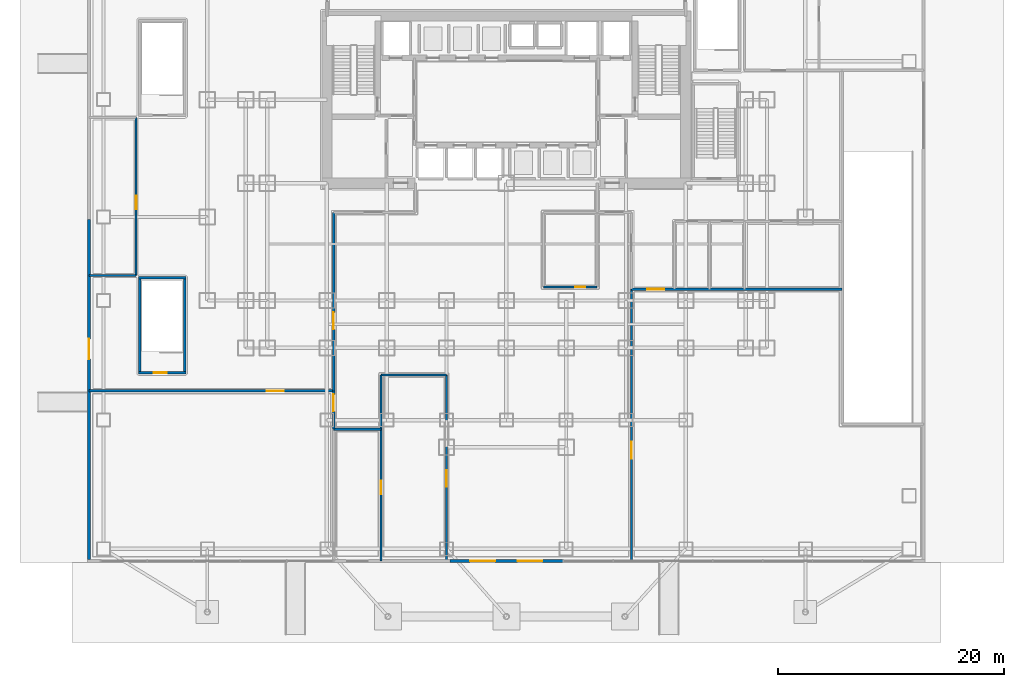
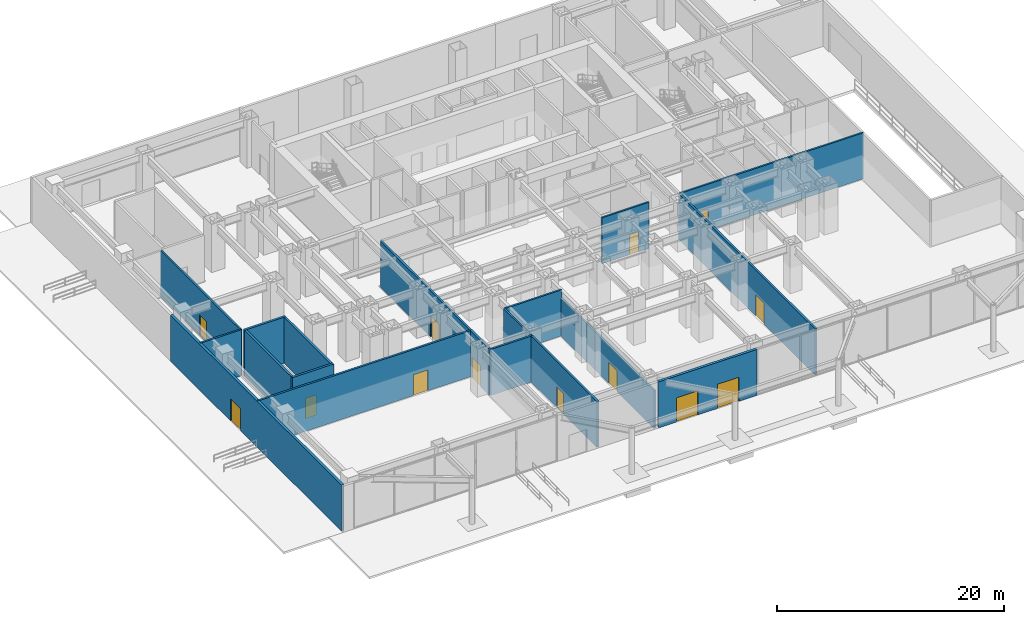
# One storey, part 10 of 18: 19 walls, 13 doors, 13 openings.
"""IFC4 building model written with IfcOpenShell, lengths in metres."""

from ifc_helpers import new_model, si_unit, direction, frame, frame_2d, origin, place, context, subcontext, project, spatial, rectangle, extrude, material, layer, layer_set, type_object, element, fill, save


model = new_model("IFC4")

# Units and contexts
model_context = context("Model", 3, precision=1e-05, world=origin(), true_north=direction((0.0, 1.0)))
body_context = subcontext(model_context, "Body", "Model", "MODEL_VIEW")
ifc_project = project(units=[si_unit("LENGTHUNIT", "METRE"), si_unit("AREAUNIT", "SQUARE_METRE"), si_unit("VOLUMEUNIT", "CUBIC_METRE"), si_unit("PLANEANGLEUNIT", "RADIAN"), si_unit("MASSUNIT", "GRAM", prefix="KILO")], contexts=[model_context])

# Site, building, storey
site_placement = place(None, origin())
site = spatial("IfcSite", under=ifc_project, at=site_placement, CompositionType="ELEMENT")
building_placement = place(site_placement, origin())
building = spatial("IfcBuilding", under=site, at=building_placement, Name="Qianlan Lanfeng Residences", CompositionType="ELEMENT")
storey_placement = place(building_placement, origin())
storey = spatial("IfcBuildingStorey", under=building, at=storey_placement, Name="L00", CompositionType="ELEMENT", Elevation=0.0)

# Wall, openings, doors
ifc_material_1 = material(Name="Concrete C42", Category="concrete")
ifc_layer_1 = layer(ifc_material_1, 0.260009765625)
ifc_layer_set_1 = layer_set([ifc_layer_1], Name="Concrete C42")
wall_type_1 = type_object("IfcWallType", Name="EW-260", PredefinedType="SOLIDWALL", material=ifc_layer_set_1)
wall_1_placement = place(storey_placement, frame((21.5, -8.27001953125, 0.0), z_axis=(0.0, 0.0, 1.0), x_axis=(1.0, 0.0, 0.0)))
wall_1 = element("IfcWall", 1, at=wall_1_placement, inside=storey, type_object=wall_type_1, Name="L00 South Grand Entrance Portal Wall", PredefinedType="SOLIDWALL", context=body_context, shape_type="SweptSolid", body=[
    extrude(rectangle(XDim=10.0, YDim=0.260009765625, at=frame_2d((5.0, 0.0))), origin(), (0.0, 0.0, 1.0), 4.949951171875),
])
opening_1_placement = place(wall_1_placement, frame((1.800048828125, 0.0, 0.0)))
opening_1 = element("IfcOpeningElement", 2, at=opening_1_placement, cuts=wall_1, Name="Opening L00-D-ENT1", PredefinedType="OPENING", context=body_context, shape_type="SweptSolid", body=[
    extrude(rectangle(XDim=2.199951171875, YDim=2.60009765625, at=frame_2d((1.10009765625, 1.300048828125))), frame((0.0, 0.14013671875, 0.0), z_axis=(0.0, -1.0, 0.0), x_axis=(1.0, 0.0, 0.0)), (0.0, 0.0, 1.0), 0.280029296875),
])
opening_2_placement = place(wall_1_placement, frame((6.0, 0.0, 0.0)))
opening_2 = element("IfcOpeningElement", 3, at=opening_2_placement, cuts=wall_1, Name="Opening L00-D-ENT2", PredefinedType="OPENING", context=body_context, shape_type="SweptSolid", body=[
    extrude(rectangle(XDim=2.199951171875, YDim=2.60009765625, at=frame_2d((1.10009765625, 1.300048828125))), frame((0.0, 0.14013671875, 0.0), z_axis=(0.0, -1.0, 0.0), x_axis=(1.0, 0.0, 0.0)), (0.0, 0.0, 1.0), 0.280029296875),
])
ifc_material_2 = material(Name="Anodised Bronze Aluminium Framed Glass", Category="aluminium")
door_type_1 = type_object("IfcDoorType", Name="DT-ENT1", OperationType="NOTDEFINED", PredefinedType="DOOR", material=ifc_material_2)
door_1_placement = place(opening_1_placement, frame((2.199951171875, 0.0, 0.0), z_axis=(0.0, 0.0, 1.0), x_axis=(-1.0, 0.0, 0.0)))
door_1 = element("IfcDoor", 4, at=door_1_placement, inside=storey, type_object=door_type_1, Name="L00 Exterior Door L00-D-ENT1", OperationType="DOUBLE_DOOR_SINGLE_SWING", OverallHeight=2.60009765625, OverallWidth=2.199951171875, PredefinedType="DOOR", context=body_context, shape_type="SweptSolid", body=[
    extrude(rectangle(XDim=2.199951171875, YDim=2.60009765625, at=frame_2d((1.10009765625, 1.300048828125))), frame((0.0, 0.02490234375, 0.0), z_axis=(0.0, -1.0, 0.0), x_axis=(1.0, 0.0, 0.0)), (0.0, 0.0, 1.0), 0.050048828125),
])
fill(opening_1, door_1)
door_2_placement = place(opening_2_placement, frame((2.199951171875, 0.0, 0.0), z_axis=(0.0, 0.0, 1.0), x_axis=(-1.0, 0.0, 0.0)))
door_2 = element("IfcDoor", 5, at=door_2_placement, inside=storey, type_object=door_type_1, Name="L00 Exterior Door L00-D-ENT2", OperationType="DOUBLE_DOOR_SINGLE_SWING", OverallHeight=2.60009765625, OverallWidth=2.199951171875, PredefinedType="DOOR", context=body_context, shape_type="SweptSolid", body=[
    extrude(rectangle(XDim=2.199951171875, YDim=2.60009765625, at=frame_2d((1.10009765625, 1.300048828125))), frame((0.0, 0.02490234375, 0.0), z_axis=(0.0, -1.0, 0.0), x_axis=(1.0, 0.0, 0.0)), (0.0, 0.0, 1.0), 0.050048828125),
])
fill(opening_2, door_2)

# Wall, opening, door
wall_2_placement = place(storey_placement, frame((-10.469970703125, 22.0, 0.0), z_axis=(0.0, 0.0, 1.0), x_axis=(0.0, -1.0, 0.0)))
wall_2 = element("IfcWall", 6, at=wall_2_placement, inside=storey, type_object=wall_type_1, Name="L00 West Promenade Exit Wall", PredefinedType="SOLIDWALL", context=body_context, shape_type="SweptSolid", body=[
    extrude(rectangle(XDim=30.139892578125, YDim=0.260009765625, at=frame_2d((15.06982421875, 0.0))), origin(), (0.0, 0.0, 1.0), 4.949951171875),
])
opening_3_placement = place(wall_2_placement, frame((10.60009765625, 0.0, 0.0)))
opening_3 = element("IfcOpeningElement", 7, at=opening_3_placement, cuts=wall_2, Name="Opening L00-D-EX06", PredefinedType="OPENING", context=body_context, shape_type="SweptSolid", body=[
    extrude(rectangle(XDim=1.800048828125, YDim=2.39990234375, at=frame_2d((0.89990234375, 1.199951171875))), frame((0.0, 0.14013671875, 0.0), z_axis=(0.0, -1.0, 0.0), x_axis=(1.0, 0.0, 0.0)), (0.0, 0.0, 1.0), 0.280029296875),
])
door_type_2 = type_object("IfcDoorType", Name="DT-EX1", OperationType="NOTDEFINED", PredefinedType="DOOR", material=ifc_material_2)
door_3_placement = place(opening_3_placement, frame((1.800048828125, 0.0, 0.0), z_axis=(0.0, 0.0, 1.0), x_axis=(-1.0, 0.0, 0.0)))
door_3 = element("IfcDoor", 8, at=door_3_placement, inside=storey, type_object=door_type_2, Name="L00 Exterior Door L00-D-EX06", OperationType="DOUBLE_DOOR_SINGLE_SWING", OverallHeight=2.39990234375, OverallWidth=1.800048828125, PredefinedType="DOOR", context=body_context, shape_type="SweptSolid", body=[
    extrude(rectangle(XDim=1.800048828125, YDim=2.39990234375, at=frame_2d((0.89990234375, 1.199951171875))), frame((0.0, 0.02490234375, 0.0), z_axis=(0.0, -1.0, 0.0), x_axis=(1.0, 0.0, 0.0)), (0.0, 0.0, 1.0), 0.050048828125),
])
fill(opening_3, door_3)

# Wall
ifc_material_3 = material(Name="Double-Layer Acoustic Gypsum Stud Wall 180 mm")
ifc_layer_2 = layer(ifc_material_3, 0.179931640625)
ifc_layer_set_2 = layer_set([ifc_layer_2], Name="Double-Layer Acoustic Gypsum Stud Wall 180 mm")
wall_type_2 = type_object("IfcWallType", Name="PW-180", PredefinedType="PARTITIONING", material=ifc_layer_set_2)
wall_3_placement = place(storey_placement, frame((15.39990234375, 3.39990234375, 0.0), z_axis=(0.0, 0.0, 1.0), x_axis=(0.0, 1.0, 0.0)))
element("IfcWall", 9, at=wall_3_placement, inside=storey, type_object=wall_type_2, Name="L00 Harbour Cafe West Wall", PredefinedType="PARTITIONING", context=body_context, shape_type="SweptSolid", body=[
    extrude(rectangle(XDim=4.800048828125, YDim=0.179931640625, at=frame_2d((2.39990234375, 0.0))), origin(), (0.0, 0.0, 1.0), 4.949951171875),
])

# Wall, opening, door
wall_4_placement = place(storey_placement, frame((21.199951171875, -8.27001953125, 0.0), z_axis=(0.0, 0.0, 1.0), x_axis=(0.0, 1.0, 0.0)))
wall_4 = element("IfcWall", 10, at=wall_4_placement, inside=storey, type_object=wall_type_2, Name="L00 Harbour Cafe East Wall", PredefinedType="PARTITIONING", context=body_context, shape_type="SweptSolid", body=[
    extrude(rectangle(XDim=16.469970703125, YDim=0.179931640625, at=frame_2d((8.23486328125, 0.0))), origin(), (0.0, 0.0, 1.0), 4.094970703125),
])
opening_4_placement = place(wall_4_placement, frame((6.550048828125, 0.0, 0.0)))
opening_4 = element("IfcOpeningElement", 11, at=opening_4_placement, cuts=wall_4, Name="Opening L00-D22", PredefinedType="OPENING", context=body_context, shape_type="SweptSolid", body=[
    extrude(rectangle(XDim=1.5, YDim=2.25, at=frame_2d((0.75, 1.125))), frame((0.0, 0.10009765625, 0.0), z_axis=(0.0, -1.0, 0.0), x_axis=(1.0, 0.0, 0.0)), (0.0, 0.0, 1.0), 0.199951171875),
])
ifc_material_4 = material(Name="Timber Veneer Acoustic Fire Door", Category="wood")
door_type_3 = type_object("IfcDoorType", Name="DT-COR1", OperationType="NOTDEFINED", PredefinedType="DOOR", material=ifc_material_4)
door_4_placement = place(opening_4_placement, origin())
door_4 = element("IfcDoor", 12, at=door_4_placement, inside=storey, type_object=door_type_3, Name="L00 Harbour Cafe Lobby Door L00-D22 (DT-COR1)", OperationType="DOUBLE_DOOR_SINGLE_SWING", OverallHeight=2.25, OverallWidth=1.5, PredefinedType="DOOR", context=body_context, shape_type="SweptSolid", body=[
    extrude(rectangle(XDim=1.5, YDim=2.25, at=frame_2d((0.75, 1.125))), frame((0.0, 0.02490234375, 0.0), z_axis=(0.0, -1.0, 0.0), x_axis=(1.0, 0.0, 0.0)), (0.0, 0.0, 1.0), 0.050048828125),
])
fill(opening_4, door_4)

# Wall
wall_5_placement = place(storey_placement, frame((15.39990234375, 8.199951171875, 0.0), z_axis=(0.0, 0.0, 1.0), x_axis=(1.0, 0.0, 0.0)))
element("IfcWall", 13, at=wall_5_placement, inside=storey, type_object=wall_type_2, Name="L00 Harbour Cafe North Wall", PredefinedType="PARTITIONING", context=body_context, shape_type="SweptSolid", body=[
    extrude(rectangle(XDim=5.800048828125, YDim=0.179931640625, at=frame_2d((2.89990234375, 0.0))), origin(), (0.0, 0.0, 1.0), 4.949951171875),
])

# Wall, opening, door
wall_6_placement = place(storey_placement, frame((29.800048828125, 16.0, 0.0), z_axis=(0.0, 0.0, 1.0), x_axis=(1.0, 0.0, 0.0)))
wall_6 = element("IfcWall", 14, at=wall_6_placement, inside=storey, type_object=wall_type_2, Name="L00 Mail Room South Wall", PredefinedType="PARTITIONING", context=body_context, shape_type="SweptSolid", body=[
    extrude(rectangle(XDim=4.75, YDim=0.179931640625, at=frame_2d((2.375, 0.0))), origin(), (0.0, 0.0, 1.0), 4.949951171875),
])
opening_5_placement = place(wall_6_placement, frame((2.7900390625, 0.0, 0.0)))
opening_5 = element("IfcOpeningElement", 15, at=opening_5_placement, cuts=wall_6, Name="Opening L00-D23", PredefinedType="OPENING", context=body_context, shape_type="SweptSolid", body=[
    extrude(rectangle(XDim=0.919921875, YDim=2.14990234375, at=frame_2d((0.4599609375, 1.074951171875))), frame((0.0, 0.10009765625, 0.0), z_axis=(0.0, -1.0, 0.0), x_axis=(1.0, 0.0, 0.0)), (0.0, 0.0, 1.0), 0.199951171875),
])
ifc_material_5 = material(Name="Glazed Timber Kitchen/Study Door", Category="wood")
door_type_4 = type_object("IfcDoorType", Name="DT-INT", OperationType="NOTDEFINED", PredefinedType="DOOR", material=ifc_material_5)
door_5_placement = place(opening_5_placement, origin())
door_5 = element("IfcDoor", 16, at=door_5_placement, inside=storey, type_object=door_type_4, Name="L00 Mail and Parcel Room Door L00-D23 (DT-INT)", OperationType="SINGLE_SWING_LEFT", OverallHeight=2.14990234375, OverallWidth=0.919921875, PredefinedType="DOOR", context=body_context, shape_type="SweptSolid", body=[
    extrude(rectangle(XDim=0.919921875, YDim=2.14990234375, at=frame_2d((0.4599609375, 1.074951171875))), frame((0.0, 0.02490234375, 0.0), z_axis=(0.0, -1.0, 0.0), x_axis=(1.0, 0.0, 0.0)), (0.0, 0.0, 1.0), 0.050048828125),
])
fill(opening_5, door_5)

wall_7_placement = place(storey_placement, frame((37.60009765625, 15.800048828125, 0.0), z_axis=(0.0, 0.0, 1.0), x_axis=(1.0, 0.0, 0.0)))
wall_7 = element("IfcWall", 17, at=wall_7_placement, inside=storey, type_object=wall_type_2, Name="L00 East Retail North Wall", PredefinedType="PARTITIONING", context=body_context, shape_type="SweptSolid", body=[
    extrude(rectangle(XDim=18.64990234375, YDim=0.179931640625, at=frame_2d((9.324951171875, 0.0))), origin(), (0.0, 0.0, 1.0), 4.949951171875),
])
opening_6_placement = place(wall_7_placement, frame((1.39990234375, 0.0, 0.0)))
opening_6 = element("IfcOpeningElement", 18, at=opening_6_placement, cuts=wall_7, Name="Opening L00-D25", PredefinedType="OPENING", context=body_context, shape_type="SweptSolid", body=[
    extrude(rectangle(XDim=1.5, YDim=2.25, at=frame_2d((0.75, 1.125))), frame((0.0, 0.10009765625, 0.0), z_axis=(0.0, -1.0, 0.0), x_axis=(1.0, 0.0, 0.0)), (0.0, 0.0, 1.0), 0.199951171875),
])
door_6_placement = place(opening_6_placement, origin())
door_6 = element("IfcDoor", 19, at=door_6_placement, inside=storey, type_object=door_type_3, Name="L00 East Retail Exit Hall Door L00-D25 (DT-COR1)", OperationType="DOUBLE_DOOR_SINGLE_SWING", OverallHeight=2.25, OverallWidth=1.5, PredefinedType="DOOR", context=body_context, shape_type="SweptSolid", body=[
    extrude(rectangle(XDim=1.5, YDim=2.25, at=frame_2d((0.75, 1.125))), frame((0.0, 0.02490234375, 0.0), z_axis=(0.0, -1.0, 0.0), x_axis=(1.0, 0.0, 0.0)), (0.0, 0.0, 1.0), 0.050048828125),
])
fill(opening_6, door_6)

wall_8_placement = place(storey_placement, frame((-6.300048828125, 17.0, 0.0), z_axis=(0.0, 0.0, 1.0), x_axis=(0.0, 1.0, 0.0)))
wall_8 = element("IfcWall", 20, at=wall_8_placement, inside=storey, type_object=wall_type_2, Name="L00 Bicycle Room East Wall", PredefinedType="PARTITIONING", context=body_context, shape_type="SweptSolid", body=[
    extrude(rectangle(XDim=14.0, YDim=0.179931640625, at=frame_2d((7.0, 0.0))), origin(), (0.0, 0.0, 1.0), 4.949951171875),
])
opening_7_placement = place(wall_8_placement, frame((5.89990234375, 0.0, 0.0)))
opening_7 = element("IfcOpeningElement", 21, at=opening_7_placement, cuts=wall_8, Name="Opening L00-D31", PredefinedType="OPENING", context=body_context, shape_type="SweptSolid", body=[
    extrude(rectangle(XDim=1.199951171875, YDim=2.199951171875, at=frame_2d((0.60009765625, 1.10009765625))), frame((0.0, 0.10009765625, 0.0), z_axis=(0.0, -1.0, 0.0), x_axis=(1.0, 0.0, 0.0)), (0.0, 0.0, 1.0), 0.199951171875),
])
ifc_material_6 = material(Name="Painted Galvanised Steel Plant Door", Category="steel")
door_type_5 = type_object("IfcDoorType", Name="DT-PLT", OperationType="NOTDEFINED", PredefinedType="DOOR", material=ifc_material_6)
door_7_placement = place(opening_7_placement, origin())
door_7 = element("IfcDoor", 22, at=door_7_placement, inside=storey, type_object=door_type_5, Name="L00 Bicycle Storage Room Door L00-D31 (DT-PLT)", OperationType="SINGLE_SWING_LEFT", OverallHeight=2.199951171875, OverallWidth=1.199951171875, PredefinedType="DOOR", context=body_context, shape_type="SweptSolid", body=[
    extrude(rectangle(XDim=1.199951171875, YDim=2.199951171875, at=frame_2d((0.60009765625, 1.10009765625))), frame((0.0, 0.02490234375, 0.0), z_axis=(0.0, -1.0, 0.0), x_axis=(1.0, 0.0, 0.0)), (0.0, 0.0, 1.0), 0.050048828125),
])
fill(opening_7, door_7)

# Wall
wall_9_placement = place(storey_placement, frame((-10.469970703125, 17.0, 0.0), z_axis=(0.0, 0.0, 1.0), x_axis=(1.0, 0.0, 0.0)))
element("IfcWall", 23, at=wall_9_placement, inside=storey, type_object=wall_type_2, Name="L00 Bicycle Room South Wall", PredefinedType="PARTITIONING", context=body_context, shape_type="SweptSolid", body=[
    extrude(rectangle(XDim=4.169921875, YDim=0.179931640625, at=frame_2d((2.0849609375, 0.0))), origin(), (0.0, 0.0, 1.0), 4.949951171875),
])

# Wall, opening, door
ifc_material_7 = material(Name="Autoclaved Aerated Concrete Blockwork 200 mm", Category="masonry")
ifc_layer_3 = layer(ifc_material_7, 0.199951171875)
ifc_layer_set_3 = layer_set([ifc_layer_3], Name="Autoclaved Aerated Concrete Blockwork 200 mm")
wall_type_3 = type_object("IfcWallType", Name="PW-200", PredefinedType="PARTITIONING", material=ifc_layer_set_3)
wall_10_placement = place(storey_placement, frame((15.39990234375, -8.27001953125, 0.0), z_axis=(0.0, 0.0, 1.0), x_axis=(0.0, 1.0, 0.0)))
wall_10 = element("IfcWall", 24, at=wall_10_placement, inside=storey, type_object=wall_type_3, Name="L00 Fire Command Centre East Wall", PredefinedType="PARTITIONING", context=body_context, shape_type="SweptSolid", body=[
    extrude(rectangle(XDim=11.669921875, YDim=0.199951171875, at=frame_2d((5.8349609375, 0.0))), origin(), (0.0, 0.0, 1.0), 4.949951171875),
])
opening_8_placement = place(wall_10_placement, frame((5.89990234375, 0.0, 0.0)))
opening_8 = element("IfcOpeningElement", 25, at=opening_8_placement, cuts=wall_10, Name="Opening L00-D17", PredefinedType="OPENING", context=body_context, shape_type="SweptSolid", body=[
    extrude(rectangle(XDim=1.199951171875, YDim=2.199951171875, at=frame_2d((0.60009765625, 1.10009765625))), frame((0.0, 0.10986328125, 0.0), z_axis=(0.0, -1.0, 0.0), x_axis=(1.0, 0.0, 0.0)), (0.0, 0.0, 1.0), 0.219970703125),
])
door_8_placement = place(opening_8_placement, origin())
door_8 = element("IfcDoor", 26, at=door_8_placement, inside=storey, type_object=door_type_5, Name="L00 Fire Command Centre Lobby Door L00-D17 (DT-PLT)", OperationType="SINGLE_SWING_LEFT", OverallHeight=2.199951171875, OverallWidth=1.199951171875, PredefinedType="DOOR", context=body_context, shape_type="SweptSolid", body=[
    extrude(rectangle(XDim=1.199951171875, YDim=2.199951171875, at=frame_2d((0.60009765625, 1.10009765625))), frame((0.0, 0.02490234375, 0.0), z_axis=(0.0, -1.0, 0.0), x_axis=(1.0, 0.0, 0.0)), (0.0, 0.0, 1.0), 0.050048828125),
])
fill(opening_8, door_8)

# Wall
wall_11_placement = place(storey_placement, frame((11.199951171875, 3.39990234375, 0.0), z_axis=(0.0, 0.0, 1.0), x_axis=(1.0, 0.0, 0.0)))
element("IfcWall", 27, at=wall_11_placement, inside=storey, type_object=wall_type_3, Name="L00 Fire Command Centre North Wall", PredefinedType="PARTITIONING", context=body_context, shape_type="SweptSolid", body=[
    extrude(rectangle(XDim=4.199951171875, YDim=0.199951171875, at=frame_2d((2.10009765625, 0.0))), origin(), (0.0, 0.0, 1.0), 4.949951171875),
])

# Wall, opening, door
wall_12_placement = place(storey_placement, frame((-10.469970703125, 6.800048828125, 0.0), z_axis=(0.0, 0.0, 1.0), x_axis=(1.0, 0.0, 0.0)))
wall_12 = element("IfcWall", 28, at=wall_12_placement, inside=storey, type_object=wall_type_3, Name="L00 West Retail North Wall", PredefinedType="PARTITIONING", context=body_context, shape_type="SweptSolid", body=[
    extrude(rectangle(XDim=21.669921875, YDim=0.199951171875, at=frame_2d((10.8349609375, 0.0))), origin(), (0.0, 0.0, 1.0), 4.949951171875),
])
opening_9_placement = place(wall_12_placement, frame((15.75, 0.0, 0.0)))
opening_9 = element("IfcOpeningElement", 29, at=opening_9_placement, cuts=wall_12, Name="Opening L00-D18", PredefinedType="OPENING", context=body_context, shape_type="SweptSolid", body=[
    extrude(rectangle(XDim=1.5, YDim=2.25, at=frame_2d((0.75, 1.125))), frame((0.0, 0.10986328125, 0.0), z_axis=(0.0, -1.0, 0.0), x_axis=(1.0, 0.0, 0.0)), (0.0, 0.0, 1.0), 0.219970703125),
])
door_9_placement = place(opening_9_placement, origin())
door_9 = element("IfcDoor", 30, at=door_9_placement, inside=storey, type_object=door_type_3, Name="L00 West Retail Exit Hall Door L00-D18 (DT-COR1)", OperationType="DOUBLE_DOOR_SINGLE_SWING", OverallHeight=2.25, OverallWidth=1.5, PredefinedType="DOOR", context=body_context, shape_type="SweptSolid", body=[
    extrude(rectangle(XDim=1.5, YDim=2.25, at=frame_2d((0.75, 1.125))), frame((0.0, 0.02490234375, 0.0), z_axis=(0.0, -1.0, 0.0), x_axis=(1.0, 0.0, 0.0)), (0.0, 0.0, 1.0), 0.050048828125),
])
fill(opening_9, door_9)

wall_13_placement = place(storey_placement, frame((11.199951171875, 3.39990234375, 0.0), z_axis=(0.0, 0.0, 1.0), x_axis=(0.0, 1.0, 0.0)))
wall_13 = element("IfcWall", 31, at=wall_13_placement, inside=storey, type_object=wall_type_3, Name="L00 West Retail East Wall", PredefinedType="PARTITIONING", context=body_context, shape_type="SweptSolid", body=[
    extrude(rectangle(XDim=3.400146484375, YDim=0.199951171875, at=frame_2d((1.7001953125, 0.0))), origin(), (0.0, 0.0, 1.0), 4.949951171875),
])
opening_10_placement = place(wall_13_placement, frame((1.5849609375, 0.0, 0.0)))
opening_10 = element("IfcOpeningElement", 32, at=opening_10_placement, cuts=wall_13, Name="Opening L00-D19", PredefinedType="OPENING", context=body_context, shape_type="SweptSolid", body=[
    extrude(rectangle(XDim=1.5, YDim=2.25, at=frame_2d((0.75, 1.125))), frame((0.0, 0.10986328125, 0.0), z_axis=(0.0, -1.0, 0.0), x_axis=(1.0, 0.0, 0.0)), (0.0, 0.0, 1.0), 0.219970703125),
])
door_10_placement = place(opening_10_placement, frame((1.5, 0.0, 0.0), z_axis=(0.0, 0.0, 1.0), x_axis=(-1.0, 0.0, 0.0)))
door_10 = element("IfcDoor", 33, at=door_10_placement, inside=storey, type_object=door_type_3, Name="L00 West Retail Gallery Lobby Door L00-D19 (DT-COR1)", OperationType="DOUBLE_DOOR_SINGLE_SWING", OverallHeight=2.25, OverallWidth=1.5, PredefinedType="DOOR", context=body_context, shape_type="SweptSolid", body=[
    extrude(rectangle(XDim=1.5, YDim=2.25, at=frame_2d((0.75, 1.125))), frame((0.0, 0.02490234375, 0.0), z_axis=(0.0, -1.0, 0.0), x_axis=(1.0, 0.0, 0.0)), (0.0, 0.0, 1.0), 0.050048828125),
])
fill(opening_10, door_10)

wall_14_placement = place(storey_placement, frame((11.199951171875, 6.800048828125, 0.0), z_axis=(0.0, 0.0, 1.0), x_axis=(0.0, 1.0, 0.0)))
wall_14 = element("IfcWall", 34, at=wall_14_placement, inside=storey, type_object=wall_type_3, Name="L00 West Exit Hall Separation Wall", PredefinedType="PARTITIONING", context=body_context, shape_type="SweptSolid", body=[
    extrude(rectangle(XDim=15.800048828125, YDim=0.199951171875, at=frame_2d((7.89990234375, 0.0))), origin(), (0.0, 0.0, 1.0), 4.949951171875),
])
opening_11_placement = place(wall_14_placement, frame((5.449951171875, 0.0, 0.0)))
opening_11 = element("IfcOpeningElement", 35, at=opening_11_placement, cuts=wall_14, Name="Opening L00-D20", PredefinedType="OPENING", context=body_context, shape_type="SweptSolid", body=[
    extrude(rectangle(XDim=1.5, YDim=2.25, at=frame_2d((0.75, 1.125))), frame((0.0, 0.10986328125, 0.0), z_axis=(0.0, -1.0, 0.0), x_axis=(1.0, 0.0, 0.0)), (0.0, 0.0, 1.0), 0.219970703125),
])
door_11_placement = place(opening_11_placement, frame((1.5, 0.0, 0.0), z_axis=(0.0, 0.0, 1.0), x_axis=(-1.0, 0.0, 0.0)))
door_11 = element("IfcDoor", 36, at=door_11_placement, inside=storey, type_object=door_type_3, Name="L00 West Exit Hall Smoke Door L00-D20 (DT-COR1)", OperationType="DOUBLE_DOOR_SINGLE_SWING", OverallHeight=2.25, OverallWidth=1.5, PredefinedType="DOOR", context=body_context, shape_type="SweptSolid", body=[
    extrude(rectangle(XDim=1.5, YDim=2.25, at=frame_2d((0.75, 1.125))), frame((0.0, 0.02490234375, 0.0), z_axis=(0.0, -1.0, 0.0), x_axis=(1.0, 0.0, 0.0)), (0.0, 0.0, 1.0), 0.050048828125),
])
fill(opening_11, door_11)

wall_15_placement = place(storey_placement, frame((37.60009765625, -8.27001953125, 0.0), z_axis=(0.0, 0.0, 1.0), x_axis=(0.0, 1.0, 0.0)))
wall_15 = element("IfcWall", 37, at=wall_15_placement, inside=storey, type_object=wall_type_3, Name="L00 East Retail West Wall", PredefinedType="PARTITIONING", context=body_context, shape_type="SweptSolid", body=[
    extrude(rectangle(XDim=24.070068359375, YDim=0.199951171875, at=frame_2d((12.03515625, 0.0))), origin(), (0.0, 0.0, 1.0), 4.949951171875),
])
opening_12_placement = place(wall_15_placement, frame((9.050048828125, 0.0, 0.0)))
opening_12 = element("IfcOpeningElement", 38, at=opening_12_placement, cuts=wall_15, Name="Opening L00-D24", PredefinedType="OPENING", context=body_context, shape_type="SweptSolid", body=[
    extrude(rectangle(XDim=1.5, YDim=2.25, at=frame_2d((0.75, 1.125))), frame((0.0, 0.10986328125, 0.0), z_axis=(0.0, -1.0, 0.0), x_axis=(1.0, 0.0, 0.0)), (0.0, 0.0, 1.0), 0.219970703125),
])
door_12_placement = place(opening_12_placement, origin())
door_12 = element("IfcDoor", 39, at=door_12_placement, inside=storey, type_object=door_type_3, Name="L00 East Retail Gallery Lobby Door L00-D24 (DT-COR1)", OperationType="DOUBLE_DOOR_SINGLE_SWING", OverallHeight=2.25, OverallWidth=1.5, PredefinedType="DOOR", context=body_context, shape_type="SweptSolid", body=[
    extrude(rectangle(XDim=1.5, YDim=2.25, at=frame_2d((0.75, 1.125))), frame((0.0, 0.02490234375, 0.0), z_axis=(0.0, -1.0, 0.0), x_axis=(1.0, 0.0, 0.0)), (0.0, 0.0, 1.0), 0.050048828125),
])
fill(opening_12, door_12)

# Walls
ifc_material_8 = material(Name="Concrete C49", Category="concrete")
ifc_layer_4 = layer(ifc_material_8, 0.219970703125)
ifc_layer_set_4 = layer_set([ifc_layer_4], Name="Concrete C49")
wall_type_4 = type_object("IfcWallType", Name="STW-RC-220", PredefinedType="SHEAR", material=ifc_layer_set_4)
wall_16_placement = place(storey_placement, frame((-6.110107421875, 16.800048828125, 0.0), z_axis=(0.0, 0.0, 1.0), x_axis=(1.0, 0.0, 0.0)))
element("IfcWall", 40, at=wall_16_placement, inside=storey, type_object=wall_type_4, Name="L00 Stair ST-BP1 Enclosure Wall N", PredefinedType="SHEAR", context=body_context, shape_type="SweptSolid", body=[
    extrude(rectangle(XDim=4.22021484375, YDim=0.219970703125, at=frame_2d((2.110107421875, 0.0))), origin(), (0.0, 0.0, 1.0), 4.949951171875),
])
for number, where, z_axis, x_axis, name in (
    (41, (-6.0, 8.510009765625, 0.0), (0.0, 0.0, 1.0), (0.0, 1.0, 0.0), "L00 Stair ST-BP1 Enclosure Wall W"),
    (42, (-2.0, 8.510009765625, 0.0), (0.0, 0.0, 1.0), (0.0, 1.0, 0.0), "L00 Stair ST-BP1 Enclosure Wall E"),
):
    element("IfcWall", number, at=place(storey_placement, frame(where, z_axis=z_axis, x_axis=x_axis)), inside=storey, type_object=wall_type_4, Name=name, PredefinedType="SHEAR", context=body_context, shape_type="SweptSolid", body=[
        extrude(rectangle(XDim=8.179931640625, YDim=0.219970703125, at=frame_2d((4.08984375, 0.0))), origin(), (0.0, 0.0, 1.0), 4.949951171875),
    ])

# Wall, opening, door
wall_17_placement = place(storey_placement, frame((-6.110107421875, 8.39990234375, 0.0), z_axis=(0.0, 0.0, 1.0), x_axis=(1.0, 0.0, 0.0)))
wall_17 = element("IfcWall", 43, at=wall_17_placement, inside=storey, type_object=wall_type_4, Name="L00 Stair ST-BP1 Enclosure Wall S", PredefinedType="SHEAR", context=body_context, shape_type="SweptSolid", body=[
    extrude(rectangle(XDim=4.22021484375, YDim=0.219970703125, at=frame_2d((2.110107421875, 0.0))), origin(), (0.0, 0.0, 1.0), 4.949951171875),
])
opening_13_placement = place(wall_17_placement, frame((1.375, 0.0, 0.0)))
opening_13 = element("IfcOpeningElement", 44, at=opening_13_placement, cuts=wall_17, Name="Opening L00-D13", PredefinedType="OPENING", context=body_context, shape_type="SweptSolid", body=[
    extrude(rectangle(XDim=1.14990234375, YDim=2.199951171875, at=frame_2d((0.574951171875, 1.10009765625))), frame((0.0, 0.1201171875, 0.0), z_axis=(0.0, -1.0, 0.0), x_axis=(1.0, 0.0, 0.0)), (0.0, 0.0, 1.0), 0.239990234375),
])
ifc_material_9 = material(Name="Painted Galvanised Steel Fire Door", Category="steel")
door_type_6 = type_object("IfcDoorType", Name="DT-ST1", OperationType="NOTDEFINED", PredefinedType="DOOR", material=ifc_material_9)
door_13_placement = place(opening_13_placement, origin())
door_13 = element("IfcDoor", 45, at=door_13_placement, inside=storey, type_object=door_type_6, Name="L00 Exit Stair ST-BP1 Door L00-D13 (DT-ST1)", OperationType="SINGLE_SWING_LEFT", OverallHeight=2.199951171875, OverallWidth=1.14990234375, PredefinedType="DOOR", context=body_context, shape_type="SweptSolid", body=[
    extrude(rectangle(XDim=1.14990234375, YDim=2.199951171875, at=frame_2d((0.574951171875, 1.10009765625))), frame((0.0, 0.02490234375, 0.0), z_axis=(0.0, -1.0, 0.0), x_axis=(1.0, 0.0, 0.0)), (0.0, 0.0, 1.0), 0.050048828125),
])
fill(opening_13, door_13)

save(model, "model.ifc")
